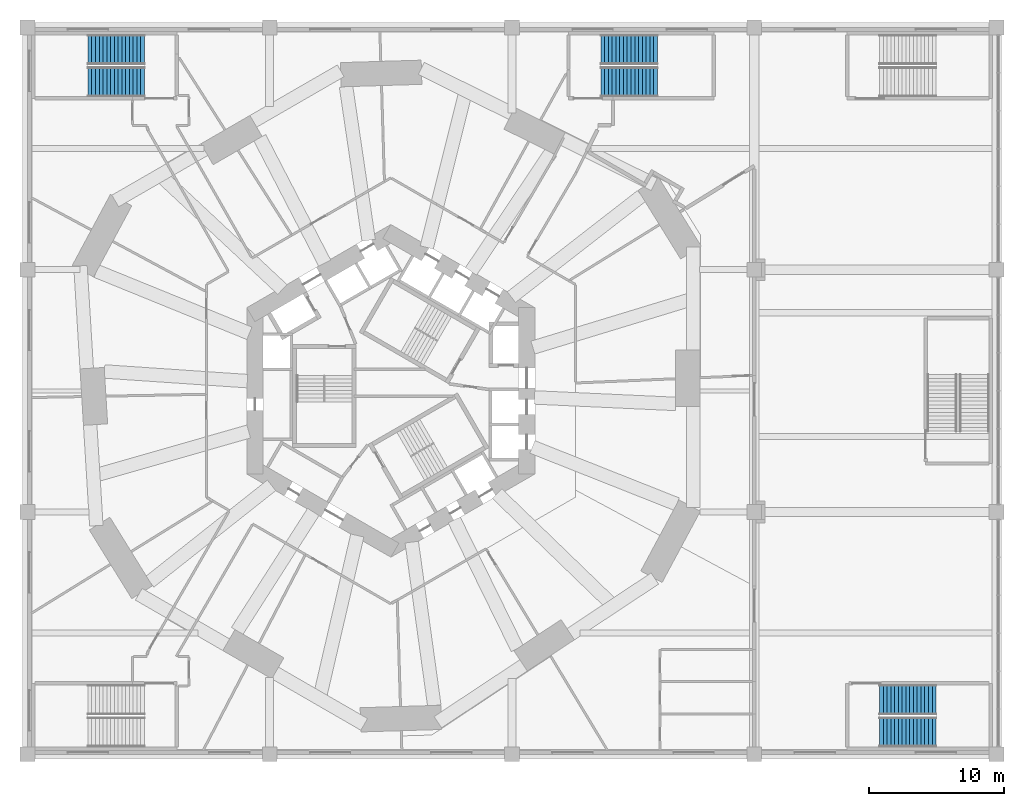
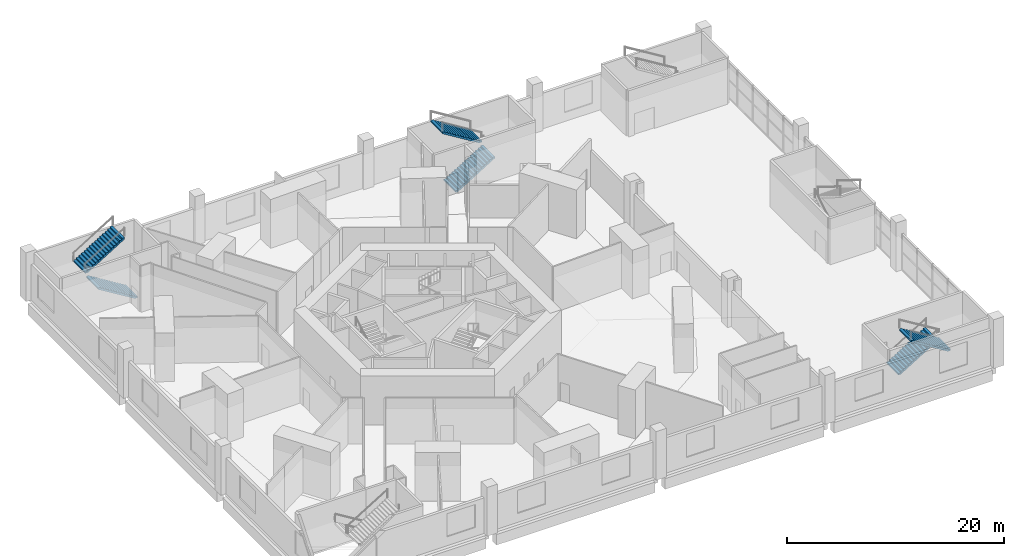
# One storey, part 13 of 16: 6 stair flights, 3 elements without a shape of their own.
"""IFC4 building model written with IfcOpenShell, lengths in metres."""

import ifcopenshell
import ifcopenshell.guid

model = None  # the IFC model being written
_history = None  # IfcOwnerHistory: only IFC2X3 demands one
_inside = {}  # id of a spatial element -> (the spatial element, [elements in it])
_under = {}  # id of a project, library or spatial element -> (it, [spatial elements below it])
_declared = {}  # id of a project -> (the project, [libraries it declares])
_typed = {}  # id of a type object -> (the type object, [elements of that type])
_made_of = {}  # id of a material, layer set ... -> (it, [elements and type objects made of it])


def new_model(schema):
    """Start an empty IFC model of exactly this schema.

    Asked for "IFC4X3", IfcOpenShell would pick the latest addendum, in which some entities
    have other attributes; the version numbers below select the first issue.
    IFC2X3 requires an IfcOwnerHistory on every rooted entity: one is made here for all.
    """
    global model, _history
    if schema == "IFC4X3":
        model = ifcopenshell.file(schema_version=(4, 3, 0, 0))
    else:
        model = ifcopenshell.file(schema=schema)
    _inside.clear()
    _under.clear()
    _declared.clear()
    _typed.clear()
    _made_of.clear()
    _history = None
    if model.schema == "IFC2X3":
        org = make("IfcOrganization", Name="unknown")
        user = make(
            "IfcPersonAndOrganization",
            ThePerson=make("IfcPerson", FamilyName="unknown"),
            TheOrganization=org,
        )
        app = make(
            "IfcApplication",
            ApplicationDeveloper=org,
            Version="unknown",
            ApplicationFullName="unknown",
            ApplicationIdentifier="unknown",
        )
        _history = make(
            "IfcOwnerHistory",
            OwningUser=user,
            OwningApplication=app,
            ChangeAction="ADDED",
            CreationDate=0,
        )
    return model


def make(cls, **values):
    """One entity of the class cls with the attributes given. An attribute that is None is left unset."""
    return model.create_entity(
        cls, **{name: value for name, value in values.items() if value is not None}
    )


def rooted(cls, **values):
    """An entity with a GlobalId (a new one), such as an element, a storey or a relation."""
    return make(cls, GlobalId=ifcopenshell.guid.new(), OwnerHistory=_history, **values)


def si_unit(unit_type, name, prefix=None):
    """IfcSIUnit, for example si_unit("LENGTHUNIT", "METRE", prefix="MILLI")."""
    return make("IfcSIUnit", UnitType=unit_type, Prefix=prefix, Name=name)


def assignment(units):
    """IfcUnitAssignment: the units of a project."""
    return None if units is None else make("IfcUnitAssignment", Units=units)


def point(xyz):
    """IfcCartesianPoint."""
    return None if xyz is None else make("IfcCartesianPoint", Coordinates=xyz)


def direction(xyz):
    """IfcDirection."""
    return None if xyz is None else make("IfcDirection", DirectionRatios=xyz)


def frame(location, z_axis=None, x_axis=None):
    """IfcAxis2Placement3D, a coordinate frame: its origin and axes. An axis left out is left unset."""
    return make(
        "IfcAxis2Placement3D",
        Location=point(location),
        Axis=direction(z_axis),
        RefDirection=direction(x_axis),
    )


def origin():
    """The frame at (0, 0, 0) with its axes left unset."""
    return frame((0.0, 0.0, 0.0))


def place(relative_to, where):
    """IfcLocalPlacement: puts the frame where relative to a parent placement (None: the world)."""
    return make(
        "IfcLocalPlacement", PlacementRelTo=relative_to, RelativePlacement=where
    )


def context(
    kind, dimensions, precision=None, world=None, true_north=None, identifier=None
):
    """IfcGeometricRepresentationContext, for example the 3D "Model" context."""
    return make(
        "IfcGeometricRepresentationContext",
        ContextIdentifier=identifier,
        ContextType=kind,
        CoordinateSpaceDimension=dimensions,
        Precision=precision,
        WorldCoordinateSystem=world,
        TrueNorth=true_north,
    )


def subcontext(parent, identifier, kind, view, scale=None):
    """IfcGeometricRepresentationSubContext, for example "Body" below "Model"."""
    return make(
        "IfcGeometricRepresentationSubContext",
        ContextIdentifier=identifier,
        ContextType=kind,
        ParentContext=parent,
        TargetScale=scale,
        TargetView=view,
    )


def project(units=None, contexts=None):
    """IfcProject with its units and contexts."""
    return rooted(
        "IfcProject",
        Name="project",
        RepresentationContexts=contexts,
        UnitsInContext=assignment(units),
    )


def spatial(cls, under=None, at=None, **own):
    """A site, building, storey or space (cls), placed at a placement, below another one or the project."""
    s = rooted(cls, ObjectPlacement=at, **own)
    if under is not None:
        _under.setdefault(under.id(), (under, []))[1].append(s)
    return s


def point_list(points):
    """IfcCartesianPointList2D or 3D."""
    cls = (
        "IfcCartesianPointList2D" if len(points[0]) == 2 else "IfcCartesianPointList3D"
    )
    return make(cls, CoordList=points)


def triangles(points, corners, closed=None, point_numbers=None):
    """IfcTriangulatedFaceSet: each triangle names its three corners, points numbered from 1."""
    return make(
        "IfcTriangulatedFaceSet",
        Coordinates=point_list(points),
        Closed=closed,
        CoordIndex=corners,
        PnIndex=point_numbers,
    )


def shape(context_of_items, identifier, shape_type, items):
    """IfcShapeRepresentation: the items that make up one representation, for example the "Body"."""
    return make(
        "IfcShapeRepresentation",
        ContextOfItems=context_of_items,
        RepresentationIdentifier=identifier,
        RepresentationType=shape_type,
        Items=items,
    )


def source(mapping_origin, context_of_items, identifier, shape_type, items):
    """IfcRepresentationMap: a shape defined once, which mapped items show again and again."""
    return make(
        "IfcRepresentationMap",
        MappingOrigin=mapping_origin,
        MappedRepresentation=shape(context_of_items, identifier, shape_type, items),
    )


def transform(
    local_origin,
    x_axis=None,
    y_axis=None,
    z_axis=None,
    scale=None,
    scale2=None,
    scale3=None,
    uniform=True,
):
    """IfcCartesianTransformationOperator3D, or its non-uniform kind. x_axis, y_axis, z_axis: its Axis1, 2, 3."""
    if uniform:
        return make(
            "IfcCartesianTransformationOperator3D",
            Axis1=direction(x_axis),
            Axis2=direction(y_axis),
            LocalOrigin=point(local_origin),
            Scale=scale,
            Axis3=direction(z_axis),
        )
    return make(
        "IfcCartesianTransformationOperator3DnonUniform",
        Axis1=direction(x_axis),
        Axis2=direction(y_axis),
        LocalOrigin=point(local_origin),
        Scale=scale,
        Axis3=direction(z_axis),
        Scale2=scale2,
        Scale3=scale3,
    )


def mapped(mapping_source, mapping_target):
    """IfcMappedItem: shows the shape of a source again, moved by a transform."""
    return make(
        "IfcMappedItem", MappingSource=mapping_source, MappingTarget=mapping_target
    )


def material(Name=None, Category=None):
    """IfcMaterial."""
    return make("IfcMaterial", Name=Name, Category=Category)


def made_of(thing, what):
    """Note that an element or type object is made of a material, layer set ...; save() writes the relation."""
    if what is not None:
        _made_of.setdefault(what.id(), (what, []))[1].append(thing)
    return thing


def type_object(cls, material=None, **own):
    """A type object (cls), such as IfcWallType, which elements share."""
    return made_of(rooted(cls, **own), material)


def element(
    cls,
    number,
    at=None,
    inside=None,
    cuts=None,
    type_object=None,
    material=None,
    context=None,
    identifier="Body",
    shape_type=None,
    held_by="IfcProductDefinitionShape",
    body=None,
    shapes=None,
    **own,
):
    """One element of the class cls, such as IfcWall. Its Tag is "e" and its number.

    at: its placement. inside: the storey or other place that contains it. cuts: it is an
    opening in that element (IfcRelVoidsElement). A single representation is given by context,
    identifier, shape_type and body (its items); several are given by shapes. held_by: the class
    of the entity that holds the representations. save() writes the other relations.
    """
    e = rooted(cls, Tag="e%d" % number, ObjectPlacement=at, **own)
    if body is not None:
        shapes = [shape(context, identifier, shape_type, body)]
    if shapes is not None:
        e.Representation = make(held_by, Representations=shapes)
    if inside is not None:
        _inside.setdefault(inside.id(), (inside, []))[1].append(e)
    if cuts is not None:
        rooted(
            "IfcRelVoidsElement", RelatingBuildingElement=cuts, RelatedOpeningElement=e
        )
    if type_object is not None:
        _typed.setdefault(type_object.id(), (type_object, []))[1].append(e)
    return made_of(e, material)


def aggregate(whole, parts):
    """IfcRelAggregates: a whole, such as a stair, and the parts it consists of."""
    return rooted("IfcRelAggregates", RelatingObject=whole, RelatedObjects=parts)


def save(model, path):
    """Write the relations noted so far, then the file.

    IfcRelAggregates (storeys below a building ...), IfcRelContainedInSpatialStructure (elements
    in a storey), IfcRelDefinesByType, IfcRelAssociatesMaterial and IfcRelDeclares: one each for
    every whole, place, type object, material and project.
    """
    for whole, parts in _under.values():
        aggregate(whole, parts)
    for where, things in _inside.values():
        rooted(
            "IfcRelContainedInSpatialStructure",
            RelatedElements=things,
            RelatingStructure=where,
        )
    for kind, things in _typed.values():
        rooted("IfcRelDefinesByType", RelatedObjects=things, RelatingType=kind)
    for what, things in _made_of.values():
        rooted("IfcRelAssociatesMaterial", RelatedObjects=things, RelatingMaterial=what)
    for by, libraries in _declared.values():
        rooted("IfcRelDeclares", RelatingContext=by, RelatedDefinitions=libraries)
    model.write(path)


model = new_model("IFC4")

# Units and contexts
model_context = context("Model", 3, precision=1e-05, world=origin(), true_north=direction((0.0, 1.0)))
body_context = subcontext(model_context, "Body", "Model", "MODEL_VIEW")
ifc_project = project(units=[si_unit("LENGTHUNIT", "METRE"), si_unit("AREAUNIT", "SQUARE_METRE"), si_unit("VOLUMEUNIT", "CUBIC_METRE"), si_unit("PLANEANGLEUNIT", "RADIAN"), si_unit("MASSUNIT", "GRAM", prefix="KILO")], contexts=[model_context])

# Site, building, storey
site_placement = place(None, origin())
site = spatial("IfcSite", under=ifc_project, at=site_placement, CompositionType="ELEMENT")
building_placement = place(site_placement, origin())
building = spatial("IfcBuilding", under=site, at=building_placement, Name="Vanh Sen Convention Tower", CompositionType="ELEMENT")
storey_placement = place(building_placement, frame((0.0, 0.0, 7.5)))
storey = spatial("IfcBuildingStorey", under=building, at=storey_placement, Name="L01", CompositionType="ELEMENT", Elevation=7.5)

# Stair, stair flights
ifc_material = material(Name="Concrete C40/50", Category="concrete")
stair_type = type_object("IfcStairType", Name="Podium exit stair 2200", PredefinedType="HALF_TURN_STAIR", material=ifc_material)
stair_1_placement = place(storey_placement, origin())
stair_1 = element("IfcStair", 1, at=stair_1_placement, inside=storey, type_object=stair_type, Name="Exit stair PS2 L01", PredefinedType="HALF_TURN_STAIR")
stair_flight_type = type_object("IfcStairFlightType", Name="Podium exit stair flight 2200", PredefinedType="STRAIGHT", material=ifc_material)
shared_shape = source(origin(), body_context, "Body", "Tessellation", [
    triangles([(0.28662109375, 1.10009765625, 0.0), (0.0, 1.10009765625, 0.0), (0.0, 1.10009765625, 0.171875), (0.280029296875, 1.10009765625, 0.171875), (0.280029296875, 1.10009765625, 0.34375), (0.56005859375, 1.10009765625, 0.34375), (0.56005859375, 1.10009765625, 0.515625), (0.840087890625, 1.10009765625, 0.515625), (0.840087890625, 1.10009765625, 0.6875), (1.1201171875, 1.10009765625, 0.6875), (1.1201171875, 1.10009765625, 0.859375), (1.39990234375, 1.10009765625, 0.859375), (1.39990234375, 1.10009765625, 1.03125), (1.679931640625, 1.10009765625, 1.03125), (1.679931640625, 1.10009765625, 1.203125), (1.9599609375, 1.10009765625, 1.203125), (1.9599609375, 1.10009765625, 1.375), (2.239990234375, 1.10009765625, 1.375), (2.239990234375, 1.10009765625, 1.546875), (2.52001953125, 1.10009765625, 1.546875), (2.52001953125, 1.10009765625, 1.71875), (2.800048828125, 1.10009765625, 1.71875), (2.800048828125, 1.10009765625, 1.890625), (3.080078125, 1.10009765625, 1.890625), (3.080078125, 1.10009765625, 2.0625), (3.360107421875, 1.10009765625, 2.0625), (3.360107421875, 1.10009765625, 2.234375), (3.639892578125, 1.10009765625, 2.234375), (3.639892578125, 1.10009765625, 2.40625), (3.919921875, 1.10009765625, 2.40625), (3.919921875, 1.10009765625, 2.578125), (4.199951171875, 1.10009765625, 2.578125), (4.199951171875, 1.10009765625, 2.40234375), (0.28662109375, -1.10009765625, 0.0), (0.0, -1.10009765625, 0.0), (0.0, -1.10009765625, 0.171875), (0.280029296875, -1.10009765625, 0.171875), (0.280029296875, -1.10009765625, 0.34375), (0.56005859375, -1.10009765625, 0.34375), (0.56005859375, -1.10009765625, 0.515625), (0.840087890625, -1.10009765625, 0.515625), (0.840087890625, -1.10009765625, 0.6875), (1.1201171875, -1.10009765625, 0.6875), (1.1201171875, -1.10009765625, 0.859375), (1.39990234375, -1.10009765625, 0.859375), (1.39990234375, -1.10009765625, 1.03125), (1.679931640625, -1.10009765625, 1.03125), (1.679931640625, -1.10009765625, 1.203125), (1.9599609375, -1.10009765625, 1.203125), (1.9599609375, -1.10009765625, 1.375), (2.239990234375, -1.10009765625, 1.375), (2.239990234375, -1.10009765625, 1.546875), (2.52001953125, -1.10009765625, 1.546875), (2.52001953125, -1.10009765625, 1.71875), (2.800048828125, -1.10009765625, 1.71875), (2.800048828125, -1.10009765625, 1.890625), (3.080078125, -1.10009765625, 1.890625), (3.080078125, -1.10009765625, 2.0625), (3.360107421875, -1.10009765625, 2.0625), (3.360107421875, -1.10009765625, 2.234375), (3.639892578125, -1.10009765625, 2.234375), (3.639892578125, -1.10009765625, 2.40625), (3.919921875, -1.10009765625, 2.40625), (3.919921875, -1.10009765625, 2.578125), (4.199951171875, -1.10009765625, 2.578125), (4.199951171875, -1.10009765625, 2.40234375), (0.0, 0.0439453125, 0.0), (0.0, 0.04296875, 0.0), (0.0, 0.0419921875, 0.0), (0.0, 0.04052734375, 0.0), (0.0, 0.03955078125, 0.0), (0.0, 0.03857421875, 0.0), (0.0, 0.03759765625, 0.0), (0.0, 0.0361328125, 0.0), (0.0, 0.03515625, 0.0), (0.0, 0.0341796875, 0.0), (0.0, 0.033203125, 0.0), (0.0, 0.03173828125, 0.0), (0.0, 0.03076171875, 0.0), (0.0, 0.02978515625, 0.0), (0.0, 0.02880859375, 0.0), (0.0, 0.02734375, 0.0), (0.0, 0.0263671875, 0.0), (0.0, 0.025390625, 0.0), (0.0, 0.0244140625, 0.0), (0.0, 0.02294921875, 0.0), (0.0, 0.02197265625, 0.0), (0.0, 0.02099609375, 0.0), (0.0, 0.02001953125, 0.0), (0.0, 0.0185546875, 0.0), (0.0, 0.017578125, 0.0), (0.0, 0.0166015625, 0.0), (0.0, 0.015625, 0.0), (0.0, 0.01416015625, 0.0), (0.0, 0.01318359375, 0.0), (0.0, 0.01220703125, 0.0), (0.0, 0.01123046875, 0.0), (0.0, 0.009765625, 0.0), (0.0, 0.0087890625, 0.0), (0.0, 0.0078125, 0.0), (0.0, 0.0068359375, 0.0), (0.0, 0.00537109375, 0.0), (0.0, 0.00439453125, 0.0), (0.0, 0.00341796875, 0.0), (0.0, 0.00244140625, 0.0), (0.0, 0.0009765625, 0.0), (0.0, 0.0, 0.0), (0.0, -0.0009765625, 0.0), (0.0, -0.00244140625, 0.0), (0.0, -0.00341796875, 0.0), (0.0, -0.00439453125, 0.0), (0.0, -0.00537109375, 0.0), (0.0, -0.0068359375, 0.0), (0.0, -0.0078125, 0.0), (0.0, -0.0087890625, 0.0), (0.0, -0.009765625, 0.0), (0.0, -0.01123046875, 0.0), (0.0, -0.01220703125, 0.0), (0.0, -0.01318359375, 0.0), (0.0, -0.01416015625, 0.0), (0.0, -0.015625, 0.0), (0.0, -0.0166015625, 0.0), (0.0, -0.017578125, 0.0), (0.0, -0.0185546875, 0.0), (0.0, -0.02001953125, 0.0), (0.0, -0.02099609375, 0.0), (0.0, -0.02197265625, 0.0), (0.0, -0.02294921875, 0.0), (0.0, -0.0244140625, 0.0), (0.0, -0.025390625, 0.0), (0.0, -0.0263671875, 0.0), (0.0, -0.02734375, 0.0), (0.0, -0.02880859375, 0.0), (0.0, -0.02978515625, 0.0), (0.0, -0.03076171875, 0.0), (0.0, -0.03173828125, 0.0), (0.0, -0.033203125, 0.0), (0.0, -0.0341796875, 0.0), (0.0, -0.03515625, 0.0), (0.0, -0.0361328125, 0.0), (0.0, -0.03759765625, 0.0), (0.0, -0.03857421875, 0.0), (0.0, -0.03955078125, 0.0), (0.0, -0.04052734375, 0.0), (0.0, -0.0419921875, 0.0), (0.0, -0.04296875, 0.0), (0.0, -0.0439453125, 0.0), (0.0, 0.0439453125, 0.171875), (0.0, 0.04296875, 0.171875), (0.0, 0.0419921875, 0.171875), (0.0, 0.04052734375, 0.171875), (0.0, 0.03955078125, 0.171875), (0.0, 0.03857421875, 0.171875), (0.0, 0.03759765625, 0.171875), (0.0, 0.0361328125, 0.171875), (0.0, 0.03515625, 0.171875), (0.0, 0.0341796875, 0.171875), (0.0, 0.033203125, 0.171875), (0.0, 0.03173828125, 0.171875), (0.0, 0.03076171875, 0.171875), (0.0, 0.02978515625, 0.171875), (0.0, 0.02880859375, 0.171875), (0.0, 0.02734375, 0.171875), (0.0, 0.0263671875, 0.171875), (0.0, 0.025390625, 0.171875), (0.0, 0.0244140625, 0.171875), (0.0, 0.02294921875, 0.171875), (0.0, 0.02197265625, 0.171875), (0.0, 0.02099609375, 0.171875), (0.0, 0.02001953125, 0.171875), (0.0, 0.0185546875, 0.171875), (0.0, 0.017578125, 0.171875), (0.0, 0.0166015625, 0.171875), (0.0, 0.015625, 0.171875), (0.0, 0.01416015625, 0.171875), (0.0, 0.01318359375, 0.171875), (0.0, 0.01220703125, 0.171875), (0.0, 0.01123046875, 0.171875), (0.0, 0.009765625, 0.171875), (0.0, 0.0087890625, 0.171875), (0.0, 0.0078125, 0.171875), (0.0, 0.0068359375, 0.171875), (0.0, 0.00537109375, 0.171875), (0.0, 0.00439453125, 0.171875), (0.0, 0.00341796875, 0.171875), (0.0, 0.00244140625, 0.171875), (0.0, 0.0009765625, 0.171875), (0.0, 0.0, 0.171875), (0.0, -0.0009765625, 0.171875), (0.0, -0.00244140625, 0.171875), (0.0, -0.00341796875, 0.171875), (0.0, -0.00439453125, 0.171875), (0.0, -0.00537109375, 0.171875), (0.0, -0.0068359375, 0.171875), (0.0, -0.0078125, 0.171875), (0.0, -0.0087890625, 0.171875), (0.0, -0.009765625, 0.171875), (0.0, -0.01123046875, 0.171875), (0.0, -0.01220703125, 0.171875), (0.0, -0.01318359375, 0.171875), (0.0, -0.01416015625, 0.171875), (0.0, -0.015625, 0.171875), (0.0, -0.0166015625, 0.171875), (0.0, -0.017578125, 0.171875), (0.0, -0.0185546875, 0.171875), (0.0, -0.02001953125, 0.171875), (0.0, -0.02099609375, 0.171875), (0.0, -0.02197265625, 0.171875), (0.0, -0.02294921875, 0.171875), (0.0, -0.0244140625, 0.171875), (0.0, -0.025390625, 0.171875), (0.0, -0.0263671875, 0.171875), (0.0, -0.02734375, 0.171875), (0.0, -0.02880859375, 0.171875), (0.0, -0.02978515625, 0.171875), (0.0, -0.03076171875, 0.171875), (0.0, -0.03173828125, 0.171875), (0.0, -0.033203125, 0.171875), (0.0, -0.0341796875, 0.171875), (0.0, -0.03515625, 0.171875), (0.0, -0.0361328125, 0.171875), (0.0, -0.03759765625, 0.171875), (0.0, -0.03857421875, 0.171875), (0.0, -0.03955078125, 0.171875), (0.0, -0.04052734375, 0.171875), (0.0, -0.0419921875, 0.171875), (0.0, -0.04296875, 0.171875), (0.0, -0.0439453125, 0.171875), (0.280029296875, 0.0, 0.171875), (0.280029296875, 0.0, 0.34375), (0.56005859375, 0.0, 0.34375), (0.56005859375, 0.0, 0.515625), (0.840087890625, 0.0, 0.515625), (0.840087890625, 0.0, 0.6875), (1.1201171875, 0.0, 0.6875), (1.1201171875, 0.0, 0.859375), (1.39990234375, 0.0, 0.859375), (1.39990234375, 0.0, 1.03125), (1.679931640625, 0.0, 1.03125), (1.679931640625, 0.0, 1.203125), (1.9599609375, 0.0, 1.203125), (1.9599609375, 0.0, 1.375), (2.239990234375, 0.0, 1.375), (2.239990234375, 0.0, 1.546875), (2.52001953125, 0.0, 1.546875), (2.52001953125, 0.0, 1.71875), (2.800048828125, 0.0, 1.71875), (2.800048828125, 0.0, 1.890625), (3.080078125, 0.0, 1.890625), (3.080078125, 0.0, 2.0625), (3.360107421875, 0.0, 2.0625), (3.360107421875, 0.0, 2.234375), (3.639892578125, 0.0, 2.234375), (3.639892578125, 0.0, 2.40625), (3.919921875, 0.0, 2.40625), (3.919921875, 0.0, 2.578125), (4.199951171875, 0.0439453125, 2.578125), (4.199951171875, 0.04296875, 2.578125), (4.199951171875, 0.0419921875, 2.578125), (4.199951171875, 0.04052734375, 2.578125), (4.199951171875, 0.03955078125, 2.578125), (4.199951171875, 0.03857421875, 2.578125), (4.199951171875, 0.03759765625, 2.578125), (4.199951171875, 0.0361328125, 2.578125), (4.199951171875, 0.03515625, 2.578125), (4.199951171875, 0.0341796875, 2.578125), (4.199951171875, 0.033203125, 2.578125), (4.199951171875, 0.03173828125, 2.578125), (4.199951171875, 0.03076171875, 2.578125), (4.199951171875, 0.02978515625, 2.578125), (4.199951171875, 0.02880859375, 2.578125), (4.199951171875, 0.02734375, 2.578125), (4.199951171875, 0.0263671875, 2.578125), (4.199951171875, 0.025390625, 2.578125), (4.199951171875, 0.0244140625, 2.578125), (4.199951171875, 0.02294921875, 2.578125), (4.199951171875, 0.02197265625, 2.578125), (4.199951171875, 0.02099609375, 2.578125), (4.199951171875, 0.02001953125, 2.578125), (4.199951171875, 0.0185546875, 2.578125), (4.199951171875, 0.017578125, 2.578125), (4.199951171875, 0.0166015625, 2.578125), (4.199951171875, 0.015625, 2.578125), (4.199951171875, 0.01416015625, 2.578125), (4.199951171875, 0.01318359375, 2.578125), (4.199951171875, 0.01220703125, 2.578125), (4.199951171875, 0.01123046875, 2.578125), (4.199951171875, 0.009765625, 2.578125), (4.199951171875, 0.0087890625, 2.578125), (4.199951171875, 0.0078125, 2.578125), (4.199951171875, 0.0068359375, 2.578125), (4.199951171875, 0.00537109375, 2.578125), (4.199951171875, 0.00439453125, 2.578125), (4.199951171875, 0.00341796875, 2.578125), (4.199951171875, 0.00244140625, 2.578125), (4.199951171875, 0.0009765625, 2.578125), (4.199951171875, 0.0, 2.578125), (4.199951171875, -0.0009765625, 2.578125), (4.199951171875, -0.00244140625, 2.578125), (4.199951171875, -0.00341796875, 2.578125), (4.199951171875, -0.00439453125, 2.578125), (4.199951171875, -0.00537109375, 2.578125), (4.199951171875, -0.0068359375, 2.578125), (4.199951171875, -0.0078125, 2.578125), (4.199951171875, -0.0087890625, 2.578125), (4.199951171875, -0.009765625, 2.578125), (4.199951171875, -0.01123046875, 2.578125), (4.199951171875, -0.01220703125, 2.578125), (4.199951171875, -0.01318359375, 2.578125), (4.199951171875, -0.01416015625, 2.578125), (4.199951171875, -0.015625, 2.578125), (4.199951171875, -0.0166015625, 2.578125), (4.199951171875, -0.017578125, 2.578125), (4.199951171875, -0.0185546875, 2.578125), (4.199951171875, -0.02001953125, 2.578125), (4.199951171875, -0.02099609375, 2.578125), (4.199951171875, -0.02197265625, 2.578125), (4.199951171875, -0.02294921875, 2.578125), (4.199951171875, -0.0244140625, 2.578125), (4.199951171875, -0.025390625, 2.578125), (4.199951171875, -0.0263671875, 2.578125), (4.199951171875, -0.02734375, 2.578125), (4.199951171875, -0.02880859375, 2.578125), (4.199951171875, -0.02978515625, 2.578125), (4.199951171875, -0.03076171875, 2.578125), (4.199951171875, -0.03173828125, 2.578125), (4.199951171875, -0.033203125, 2.578125), (4.199951171875, -0.0341796875, 2.578125), (4.199951171875, -0.03515625, 2.578125), (4.199951171875, -0.0361328125, 2.578125), (4.199951171875, -0.03759765625, 2.578125), (4.199951171875, -0.03857421875, 2.578125), (4.199951171875, -0.03955078125, 2.578125), (4.199951171875, -0.04052734375, 2.578125), (4.199951171875, -0.0419921875, 2.578125), (4.199951171875, -0.04296875, 2.578125), (4.199951171875, -0.0439453125, 2.578125), (4.199951171875, 0.0439453125, 2.40234375), (4.199951171875, 0.04296875, 2.40234375), (4.199951171875, 0.0419921875, 2.40234375), (4.199951171875, 0.04052734375, 2.40234375), (4.199951171875, 0.03955078125, 2.40234375), (4.199951171875, 0.03857421875, 2.40234375), (4.199951171875, 0.03759765625, 2.40234375), (4.199951171875, 0.0361328125, 2.40234375), (4.199951171875, 0.03515625, 2.40234375), (4.199951171875, 0.0341796875, 2.40234375), (4.199951171875, 0.033203125, 2.40234375), (4.199951171875, 0.03173828125, 2.40234375), (4.199951171875, 0.03076171875, 2.40234375), (4.199951171875, 0.02978515625, 2.40234375), (4.199951171875, 0.02880859375, 2.40234375), (4.199951171875, 0.02734375, 2.40234375), (4.199951171875, 0.0263671875, 2.40234375), (4.199951171875, 0.025390625, 2.40234375), (4.199951171875, 0.0244140625, 2.40234375), (4.199951171875, 0.02294921875, 2.40234375), (4.199951171875, 0.02197265625, 2.40234375), (4.199951171875, 0.02099609375, 2.40234375), (4.199951171875, 0.02001953125, 2.40234375), (4.199951171875, 0.0185546875, 2.40234375), (4.199951171875, 0.017578125, 2.40234375), (4.199951171875, 0.0166015625, 2.40234375), (4.199951171875, 0.015625, 2.40234375), (4.199951171875, 0.01416015625, 2.40234375), (4.199951171875, 0.01318359375, 2.40234375), (4.199951171875, 0.01220703125, 2.40234375), (4.199951171875, 0.01123046875, 2.40234375), (4.199951171875, 0.009765625, 2.40234375), (4.199951171875, 0.0087890625, 2.40234375), (4.199951171875, 0.0078125, 2.40234375), (4.199951171875, 0.0068359375, 2.40234375), (4.199951171875, 0.00537109375, 2.40234375), (4.199951171875, 0.00439453125, 2.40234375), (4.199951171875, 0.00341796875, 2.40234375), (4.199951171875, 0.00244140625, 2.40234375), (4.199951171875, 0.0009765625, 2.40234375), (4.199951171875, 0.0, 2.40234375), (4.199951171875, -0.0009765625, 2.40234375), (4.199951171875, -0.00244140625, 2.40234375), (4.199951171875, -0.00341796875, 2.40234375), (4.199951171875, -0.00439453125, 2.40234375), (4.199951171875, -0.00537109375, 2.40234375), (4.199951171875, -0.0068359375, 2.40234375), (4.199951171875, -0.0078125, 2.40234375), (4.199951171875, -0.0087890625, 2.40234375), (4.199951171875, -0.009765625, 2.40234375), (4.199951171875, -0.01123046875, 2.40234375), (4.199951171875, -0.01220703125, 2.40234375), (4.199951171875, -0.01318359375, 2.40234375), (4.199951171875, -0.01416015625, 2.40234375), (4.199951171875, -0.015625, 2.40234375), (4.199951171875, -0.0166015625, 2.40234375), (4.199951171875, -0.017578125, 2.40234375), (4.199951171875, -0.0185546875, 2.40234375), (4.199951171875, -0.02001953125, 2.40234375), (4.199951171875, -0.02099609375, 2.40234375), (4.199951171875, -0.02197265625, 2.40234375), (4.199951171875, -0.02294921875, 2.40234375), (4.199951171875, -0.0244140625, 2.40234375), (4.199951171875, -0.025390625, 2.40234375), (4.199951171875, -0.0263671875, 2.40234375), (4.199951171875, -0.02734375, 2.40234375), (4.199951171875, -0.02880859375, 2.40234375), (4.199951171875, -0.02978515625, 2.40234375), (4.199951171875, -0.03076171875, 2.40234375), (4.199951171875, -0.03173828125, 2.40234375), (4.199951171875, -0.033203125, 2.40234375), (4.199951171875, -0.0341796875, 2.40234375), (4.199951171875, -0.03515625, 2.40234375), (4.199951171875, -0.0361328125, 2.40234375), (4.199951171875, -0.03759765625, 2.40234375), (4.199951171875, -0.03857421875, 2.40234375), (4.199951171875, -0.03955078125, 2.40234375), (4.199951171875, -0.04052734375, 2.40234375), (4.199951171875, -0.0419921875, 2.40234375), (4.199951171875, -0.04296875, 2.40234375), (4.199951171875, -0.0439453125, 2.40234375), (0.28662109375, 0.0, 0.0)], [[1, 2, 3], [1, 3, 4], [1, 4, 5], [1, 5, 6], [6, 7, 8], [1, 6, 8], [8, 9, 10], [1, 8, 10], [10, 11, 12], [1, 10, 12], [12, 13, 14], [1, 12, 14], [14, 15, 16], [1, 14, 16], [16, 17, 18], [1, 16, 18], [18, 19, 20], [1, 18, 20], [20, 21, 22], [1, 20, 22], [22, 23, 24], [1, 22, 24], [24, 25, 26], [1, 24, 26], [26, 27, 28], [1, 26, 28], [28, 29, 30], [1, 28, 30], [30, 31, 32], [1, 30, 32], [32, 33, 1], [34, 36, 35], [34, 37, 36], [34, 38, 37], [34, 39, 38], [39, 41, 40], [34, 41, 39], [41, 43, 42], [34, 43, 41], [43, 45, 44], [34, 45, 43], [45, 47, 46], [34, 47, 45], [47, 49, 48], [34, 49, 47], [49, 51, 50], [34, 51, 49], [51, 53, 52], [34, 53, 51], [53, 55, 54], [34, 55, 53], [55, 57, 56], [34, 57, 55], [57, 59, 58], [34, 59, 57], [59, 61, 60], [34, 61, 59], [61, 63, 62], [34, 63, 61], [63, 65, 64], [34, 65, 63], [65, 34, 66], [2, 148, 3], [2, 67, 148], [67, 149, 148], [67, 68, 149], [68, 150, 149], [68, 69, 150], [69, 151, 150], [69, 70, 151], [70, 152, 151], [70, 71, 152], [71, 153, 152], [71, 72, 153], [72, 154, 153], [72, 73, 154], [73, 155, 154], [73, 74, 155], [74, 156, 155], [74, 75, 156], [75, 157, 156], [75, 76, 157], [76, 158, 157], [76, 77, 158], [77, 159, 158], [77, 78, 159], [78, 160, 159], [78, 79, 160], [79, 161, 160], [79, 80, 161], [80, 162, 161], [80, 81, 162], [81, 163, 162], [81, 82, 163], [82, 164, 163], [82, 83, 164], [83, 165, 164], [83, 84, 165], [84, 166, 165], [84, 85, 166], [85, 167, 166], [85, 86, 167], [86, 168, 167], [86, 87, 168], [87, 169, 168], [87, 88, 169], [88, 170, 169], [88, 89, 170], [89, 171, 170], [89, 90, 171], [90, 172, 171], [90, 91, 172], [91, 173, 172], [91, 92, 173], [92, 174, 173], [92, 93, 174], [93, 175, 174], [93, 94, 175], [94, 176, 175], [94, 95, 176], [95, 177, 176], [95, 96, 177], [96, 178, 177], [96, 97, 178], [97, 179, 178], [97, 98, 179], [98, 180, 179], [98, 99, 180], [99, 181, 180], [99, 100, 181], [100, 182, 181], [100, 101, 182], [101, 183, 182], [101, 102, 183], [102, 184, 183], [102, 103, 184], [103, 185, 184], [103, 104, 185], [104, 186, 185], [104, 105, 186], [105, 187, 186], [105, 106, 187], [106, 188, 187], [106, 107, 188], [107, 108, 188], [188, 108, 189], [108, 109, 189], [189, 109, 190], [109, 110, 190], [190, 110, 191], [110, 111, 191], [191, 111, 192], [111, 112, 192], [192, 112, 193], [112, 113, 193], [193, 113, 194], [113, 114, 194], [194, 114, 195], [114, 115, 195], [195, 115, 196], [115, 116, 196], [196, 116, 197], [116, 117, 197], [197, 117, 198], [117, 118, 198], [198, 118, 199], [118, 119, 199], [199, 119, 200], [119, 120, 200], [200, 120, 201], [120, 121, 201], [201, 121, 202], [121, 122, 202], [202, 122, 203], [122, 123, 203], [203, 123, 204], [123, 124, 204], [204, 124, 205], [124, 125, 205], [205, 125, 206], [125, 126, 206], [206, 126, 207], [126, 127, 207], [207, 127, 208], [127, 128, 208], [208, 128, 209], [128, 129, 209], [209, 129, 210], [129, 130, 210], [210, 130, 211], [130, 131, 211], [211, 131, 212], [131, 132, 212], [212, 132, 213], [132, 133, 213], [213, 133, 214], [133, 134, 214], [214, 134, 215], [134, 135, 215], [215, 135, 216], [135, 136, 216], [216, 136, 217], [136, 137, 217], [217, 137, 218], [137, 138, 218], [218, 138, 219], [138, 139, 219], [219, 139, 220], [139, 140, 220], [220, 140, 221], [140, 141, 221], [221, 141, 222], [141, 142, 222], [222, 142, 223], [142, 143, 223], [223, 143, 224], [143, 144, 224], [224, 144, 225], [144, 145, 225], [225, 145, 226], [145, 146, 226], [226, 146, 227], [146, 147, 227], [227, 147, 228], [147, 35, 228], [228, 35, 36], [4, 3, 148], [4, 148, 149], [4, 149, 150], [4, 150, 151], [4, 151, 152], [4, 152, 153], [4, 153, 154], [4, 154, 155], [4, 155, 156], [4, 156, 157], [4, 157, 158], [4, 158, 159], [4, 159, 160], [4, 160, 161], [4, 161, 162], [4, 162, 163], [4, 163, 164], [4, 164, 165], [4, 165, 166], [4, 166, 167], [4, 167, 168], [4, 168, 169], [4, 169, 170], [4, 170, 171], [4, 171, 172], [4, 172, 173], [4, 173, 174], [4, 174, 175], [4, 175, 176], [4, 176, 177], [4, 177, 178], [4, 178, 179], [4, 179, 180], [4, 180, 181], [4, 181, 182], [4, 182, 183], [4, 183, 184], [4, 184, 185], [4, 185, 186], [4, 186, 187], [4, 187, 188], [37, 188, 189], [37, 189, 190], [37, 190, 191], [37, 191, 192], [37, 192, 193], [37, 193, 194], [37, 194, 195], [37, 195, 196], [37, 196, 197], [37, 197, 198], [37, 198, 199], [37, 199, 200], [37, 200, 201], [37, 201, 202], [37, 202, 203], [37, 203, 204], [37, 204, 205], [37, 205, 206], [37, 206, 207], [37, 207, 208], [37, 208, 209], [37, 209, 210], [37, 210, 211], [37, 211, 212], [37, 212, 213], [37, 213, 214], [37, 214, 215], [37, 215, 216], [37, 216, 217], [37, 217, 218], [37, 218, 219], [37, 219, 220], [37, 220, 221], [37, 221, 222], [37, 222, 223], [37, 223, 224], [37, 224, 225], [37, 225, 226], [37, 226, 227], [37, 227, 228], [37, 228, 36], [4, 188, 229], [37, 229, 188], [4, 230, 5], [4, 229, 230], [229, 37, 230], [230, 37, 38], [5, 231, 6], [5, 230, 231], [230, 38, 231], [231, 38, 39], [6, 232, 7], [6, 231, 232], [231, 39, 232], [232, 39, 40], [7, 233, 8], [7, 232, 233], [232, 40, 233], [233, 40, 41], [8, 234, 9], [8, 233, 234], [233, 41, 234], [234, 41, 42], [9, 235, 10], [9, 234, 235], [234, 42, 235], [235, 42, 43], [10, 236, 11], [10, 235, 236], [235, 43, 236], [236, 43, 44], [11, 237, 12], [11, 236, 237], [236, 44, 237], [237, 44, 45], [12, 238, 13], [12, 237, 238], [237, 45, 238], [238, 45, 46], [13, 239, 14], [13, 238, 239], [238, 46, 239], [239, 46, 47], [14, 240, 15], [14, 239, 240], [239, 47, 240], [240, 47, 48], [15, 241, 16], [15, 240, 241], [240, 48, 241], [241, 48, 49], [16, 242, 17], [16, 241, 242], [241, 49, 242], [242, 49, 50], [17, 243, 18], [17, 242, 243], [242, 50, 243], [243, 50, 51], [18, 244, 19], [18, 243, 244], [243, 51, 244], [244, 51, 52], [19, 245, 20], [19, 244, 245], [244, 52, 245], [245, 52, 53], [20, 246, 21], [20, 245, 246], [245, 53, 246], [246, 53, 54], [21, 247, 22], [21, 246, 247], [246, 54, 247], [247, 54, 55], [22, 248, 23], [22, 247, 248], [247, 55, 248], [248, 55, 56], [23, 249, 24], [23, 248, 249], [248, 56, 249], [249, 56, 57], [24, 250, 25], [24, 249, 250], [249, 57, 250], [250, 57, 58], [25, 251, 26], [25, 250, 251], [250, 58, 251], [251, 58, 59], [26, 252, 27], [26, 251, 252], [251, 59, 252], [252, 59, 60], [27, 253, 28], [27, 252, 253], [252, 60, 253], [253, 60, 61], [28, 254, 29], [28, 253, 254], [253, 61, 254], [254, 61, 62], [29, 255, 30], [29, 254, 255], [254, 62, 255], [255, 62, 63], [30, 256, 31], [30, 255, 256], [255, 63, 256], [256, 63, 64], [31, 257, 32], [31, 258, 257], [31, 259, 258], [31, 260, 259], [31, 261, 260], [31, 262, 261], [31, 263, 262], [31, 264, 263], [31, 265, 264], [31, 266, 265], [31, 267, 266], [31, 268, 267], [31, 269, 268], [31, 270, 269], [31, 271, 270], [31, 272, 271], [31, 273, 272], [31, 274, 273], [31, 275, 274], [31, 276, 275], [31, 277, 276], [31, 278, 277], [31, 279, 278], [31, 280, 279], [31, 281, 280], [31, 282, 281], [31, 283, 282], [31, 284, 283], [31, 285, 284], [31, 286, 285], [31, 287, 286], [31, 288, 287], [31, 289, 288], [31, 290, 289], [31, 291, 290], [31, 292, 291], [31, 293, 292], [31, 294, 293], [31, 295, 294], [31, 296, 295], [31, 297, 296], [64, 298, 297], [64, 299, 298], [64, 300, 299], [64, 301, 300], [64, 302, 301], [64, 303, 302], [64, 304, 303], [64, 305, 304], [64, 306, 305], [64, 307, 306], [64, 308, 307], [64, 309, 308], [64, 310, 309], [64, 311, 310], [64, 312, 311], [64, 313, 312], [64, 314, 313], [64, 315, 314], [64, 316, 315], [64, 317, 316], [64, 318, 317], [64, 319, 318], [64, 320, 319], [64, 321, 320], [64, 322, 321], [64, 323, 322], [64, 324, 323], [64, 325, 324], [64, 326, 325], [64, 327, 326], [64, 328, 327], [64, 329, 328], [64, 330, 329], [64, 331, 330], [64, 332, 331], [64, 333, 332], [64, 334, 333], [64, 335, 334], [64, 336, 335], [64, 337, 336], [64, 65, 337], [31, 256, 297], [64, 297, 256], [32, 338, 33], [32, 257, 338], [257, 339, 338], [257, 258, 339], [258, 340, 339], [258, 259, 340], [259, 341, 340], [259, 260, 341], [260, 342, 341], [260, 261, 342], [261, 343, 342], [261, 262, 343], [262, 344, 343], [262, 263, 344], [263, 345, 344], [263, 264, 345], [264, 346, 345], [264, 265, 346], [265, 347, 346], [265, 266, 347], [266, 348, 347], [266, 267, 348], [267, 349, 348], [267, 268, 349], [268, 350, 349], [268, 269, 350], [269, 351, 350], [269, 270, 351], [270, 352, 351], [270, 271, 352], [271, 353, 352], [271, 272, 353], [272, 354, 353], [272, 273, 354], [273, 355, 354], [273, 274, 355], [274, 356, 355], [274, 275, 356], [275, 357, 356], [275, 276, 357], [276, 358, 357], [276, 277, 358], [277, 359, 358], [277, 278, 359], [278, 360, 359], [278, 279, 360], [279, 361, 360], [279, 280, 361], [280, 362, 361], [280, 281, 362], [281, 363, 362], [281, 282, 363], [282, 364, 363], [282, 283, 364], [283, 365, 364], [283, 284, 365], [284, 366, 365], [284, 285, 366], [285, 367, 366], [285, 286, 367], [286, 368, 367], [286, 287, 368], [287, 369, 368], [287, 288, 369], [288, 370, 369], [288, 289, 370], [289, 371, 370], [289, 290, 371], [290, 372, 371], [290, 291, 372], [291, 373, 372], [291, 292, 373], [292, 374, 373], [292, 293, 374], [293, 375, 374], [293, 294, 375], [294, 376, 375], [294, 295, 376], [295, 377, 376], [295, 296, 377], [296, 378, 377], [296, 297, 378], [297, 298, 378], [378, 298, 379], [298, 299, 379], [379, 299, 380], [299, 300, 380], [380, 300, 381], [300, 301, 381], [381, 301, 382], [301, 302, 382], [382, 302, 383], [302, 303, 383], [383, 303, 384], [303, 304, 384], [384, 304, 385], [304, 305, 385], [385, 305, 386], [305, 306, 386], [386, 306, 387], [306, 307, 387], [387, 307, 388], [307, 308, 388], [388, 308, 389], [308, 309, 389], [389, 309, 390], [309, 310, 390], [390, 310, 391], [310, 311, 391], [391, 311, 392], [311, 312, 392], [392, 312, 393], [312, 313, 393], [393, 313, 394], [313, 314, 394], [394, 314, 395], [314, 315, 395], [395, 315, 396], [315, 316, 396], [396, 316, 397], [316, 317, 397], [397, 317, 398], [317, 318, 398], [398, 318, 399], [318, 319, 399], [399, 319, 400], [319, 320, 400], [400, 320, 401], [320, 321, 401], [401, 321, 402], [321, 322, 402], [402, 322, 403], [322, 323, 403], [403, 323, 404], [323, 324, 404], [404, 324, 405], [324, 325, 405], [405, 325, 406], [325, 326, 406], [406, 326, 407], [326, 327, 407], [407, 327, 408], [327, 328, 408], [408, 328, 409], [328, 329, 409], [409, 329, 410], [329, 330, 410], [410, 330, 411], [330, 331, 411], [411, 331, 412], [331, 332, 412], [412, 332, 413], [332, 333, 413], [413, 333, 414], [333, 334, 414], [414, 334, 415], [334, 335, 415], [415, 335, 416], [335, 336, 416], [416, 336, 417], [336, 337, 417], [417, 337, 418], [337, 65, 418], [418, 65, 66], [1, 33, 338], [1, 338, 339], [1, 339, 340], [1, 340, 341], [1, 341, 342], [1, 342, 343], [1, 343, 344], [1, 344, 345], [1, 345, 346], [1, 346, 347], [1, 347, 348], [1, 348, 349], [1, 349, 350], [1, 350, 351], [1, 351, 352], [1, 352, 353], [1, 353, 354], [1, 354, 355], [1, 355, 356], [1, 356, 357], [1, 357, 358], [1, 358, 359], [1, 359, 360], [1, 360, 361], [1, 361, 362], [1, 362, 363], [1, 363, 364], [1, 364, 365], [1, 365, 366], [1, 366, 367], [1, 367, 368], [1, 368, 369], [1, 369, 370], [1, 370, 371], [1, 371, 372], [1, 372, 373], [1, 373, 374], [1, 374, 375], [1, 375, 376], [1, 376, 377], [1, 377, 378], [34, 378, 379], [34, 379, 380], [34, 380, 381], [34, 381, 382], [34, 382, 383], [34, 383, 384], [34, 384, 385], [34, 385, 386], [34, 386, 387], [34, 387, 388], [34, 388, 389], [34, 389, 390], [34, 390, 391], [34, 391, 392], [34, 392, 393], [34, 393, 394], [34, 394, 395], [34, 395, 396], [34, 396, 397], [34, 397, 398], [34, 398, 399], [34, 399, 400], [34, 400, 401], [34, 401, 402], [34, 402, 403], [34, 403, 404], [34, 404, 405], [34, 405, 406], [34, 406, 407], [34, 407, 408], [34, 408, 409], [34, 409, 410], [34, 410, 411], [34, 411, 412], [34, 412, 413], [34, 413, 414], [34, 414, 415], [34, 415, 416], [34, 416, 417], [34, 417, 418], [34, 418, 66], [1, 378, 419], [34, 419, 378], [1, 67, 2], [1, 68, 67], [1, 69, 68], [1, 70, 69], [1, 71, 70], [1, 72, 71], [1, 73, 72], [1, 74, 73], [1, 75, 74], [1, 76, 75], [1, 77, 76], [1, 78, 77], [1, 79, 78], [1, 80, 79], [1, 81, 80], [1, 82, 81], [1, 83, 82], [1, 84, 83], [1, 85, 84], [1, 86, 85], [1, 87, 86], [1, 88, 87], [1, 89, 88], [1, 90, 89], [1, 91, 90], [1, 92, 91], [1, 93, 92], [1, 94, 93], [1, 95, 94], [1, 96, 95], [1, 97, 96], [1, 98, 97], [1, 99, 98], [1, 100, 99], [1, 101, 100], [1, 102, 101], [1, 103, 102], [1, 104, 103], [1, 105, 104], [1, 106, 105], [1, 107, 106], [34, 108, 107], [34, 109, 108], [34, 110, 109], [34, 111, 110], [34, 112, 111], [34, 113, 112], [34, 114, 113], [34, 115, 114], [34, 116, 115], [34, 117, 116], [34, 118, 117], [34, 119, 118], [34, 120, 119], [34, 121, 120], [34, 122, 121], [34, 123, 122], [34, 124, 123], [34, 125, 124], [34, 126, 125], [34, 127, 126], [34, 128, 127], [34, 129, 128], [34, 130, 129], [34, 131, 130], [34, 132, 131], [34, 133, 132], [34, 134, 133], [34, 135, 134], [34, 136, 135], [34, 137, 136], [34, 138, 137], [34, 139, 138], [34, 140, 139], [34, 141, 140], [34, 142, 141], [34, 143, 142], [34, 144, 143], [34, 145, 144], [34, 146, 145], [34, 147, 146], [34, 35, 147], [1, 419, 107], [34, 107, 419]], closed=True),
])
stair_flight_1_placement = place(storey_placement, frame((36.300048828125, -22.949951171875, 0.0), z_axis=(0.0, 0.0, 1.0), x_axis=(1.0, 0.0, 0.0)))
stair_flight_1 = element("IfcStairFlight", 2, at=stair_flight_1_placement, type_object=stair_flight_type, Name="PS2 flight 1", NumberOfRisers=16, NumberOfTreads=15, PredefinedType="STRAIGHT", RiserHeight=0.171875, TreadLength=0.28, context=body_context, shape_type="MappedRepresentation", body=[
    mapped(shared_shape, transform((0.0, 0.0, 0.0))),
])
stair_flight_2_placement = place(storey_placement, frame((40.5, -25.35009765625, 2.75), z_axis=(0.0, 0.0, 1.0), x_axis=(-1.0, 0.0, 0.0)))
stair_flight_2 = element("IfcStairFlight", 3, at=stair_flight_2_placement, type_object=stair_flight_type, Name="PS2 flight 2", NumberOfRisers=16, NumberOfTreads=15, PredefinedType="STRAIGHT", RiserHeight=0.171875, TreadLength=0.28, context=body_context, shape_type="MappedRepresentation", body=[
    mapped(shared_shape, transform((0.0, 0.0, 0.0))),
])
aggregate(stair_1, [stair_flight_1, stair_flight_2])

stair_2_placement = place(storey_placement, origin())
stair_2 = element("IfcStair", 4, at=stair_2_placement, inside=storey, type_object=stair_type, Name="Exit stair PS4 L01", PredefinedType="HALF_TURN_STAIR")
stair_flight_3_placement = place(storey_placement, frame((15.60009765625, 22.949951171875, 0.0), z_axis=(0.0, 0.0, 1.0), x_axis=(1.0, 0.0, 0.0)))
stair_flight_3 = element("IfcStairFlight", 5, at=stair_flight_3_placement, type_object=stair_flight_type, Name="PS4 flight 1", NumberOfRisers=16, NumberOfTreads=15, PredefinedType="STRAIGHT", RiserHeight=0.171875, TreadLength=0.28, context=body_context, shape_type="MappedRepresentation", body=[
    mapped(shared_shape, transform((0.0, 0.0, 0.0))),
])
stair_flight_4_placement = place(storey_placement, frame((19.800048828125, 25.35009765625, 2.75), z_axis=(0.0, 0.0, 1.0), x_axis=(-1.0, 0.0, 0.0)))
stair_flight_4 = element("IfcStairFlight", 6, at=stair_flight_4_placement, type_object=stair_flight_type, Name="PS4 flight 2", NumberOfRisers=16, NumberOfTreads=15, PredefinedType="STRAIGHT", RiserHeight=0.171875, TreadLength=0.28, context=body_context, shape_type="MappedRepresentation", body=[
    mapped(shared_shape, transform((0.0, 0.0, 0.0))),
])
aggregate(stair_2, [stair_flight_3, stair_flight_4])

stair_3_placement = place(storey_placement, origin())
stair_3 = element("IfcStair", 7, at=stair_3_placement, inside=storey, type_object=stair_type, Name="Exit stair PS5 L01", PredefinedType="HALF_TURN_STAIR")
stair_flight_5_placement = place(storey_placement, frame((-18.300048828125, 22.949951171875, 0.0), z_axis=(0.0, 0.0, 1.0), x_axis=(-1.0, 0.0, 0.0)))
stair_flight_5 = element("IfcStairFlight", 8, at=stair_flight_5_placement, type_object=stair_flight_type, Name="PS5 flight 1", NumberOfRisers=16, NumberOfTreads=15, PredefinedType="STRAIGHT", RiserHeight=0.171875, TreadLength=0.28, context=body_context, shape_type="MappedRepresentation", body=[
    mapped(shared_shape, transform((0.0, 0.0, 0.0))),
])
stair_flight_6_placement = place(storey_placement, frame((-22.5, 25.35009765625, 2.75), z_axis=(0.0, 0.0, 1.0), x_axis=(1.0, 0.0, 0.0)))
stair_flight_6 = element("IfcStairFlight", 9, at=stair_flight_6_placement, type_object=stair_flight_type, Name="PS5 flight 2", NumberOfRisers=16, NumberOfTreads=15, PredefinedType="STRAIGHT", RiserHeight=0.171875, TreadLength=0.28, context=body_context, shape_type="MappedRepresentation", body=[
    mapped(shared_shape, transform((0.0, 0.0, 0.0))),
])
aggregate(stair_3, [stair_flight_5, stair_flight_6])

save(model, "model.ifc")
